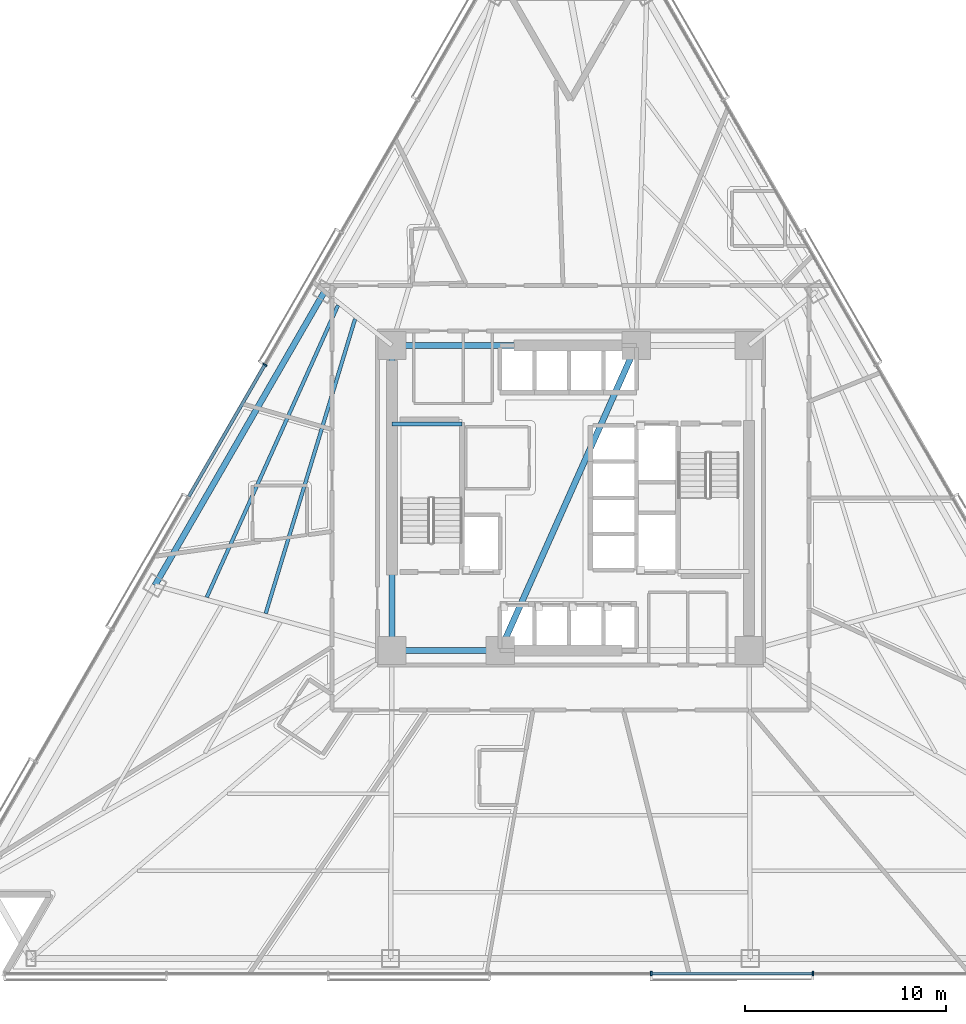
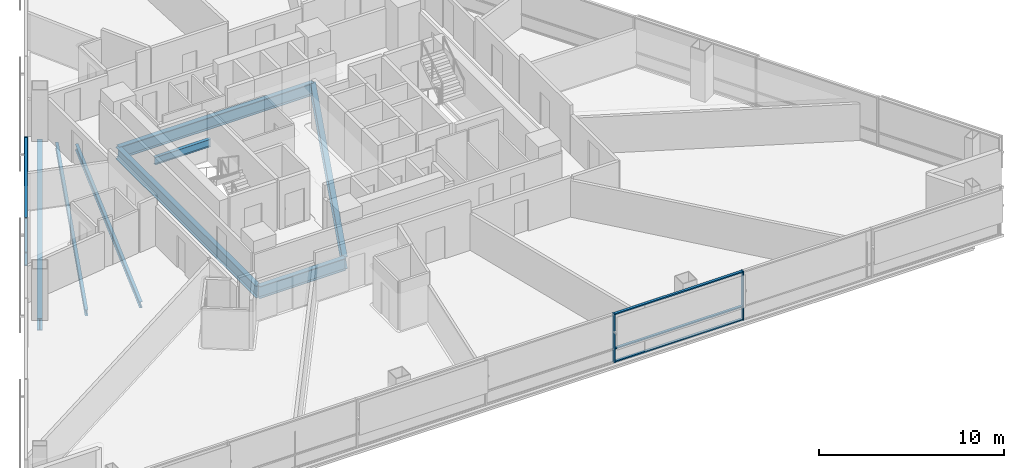
# One storey, part 3 of 16: 9 members, 8 beams, 2 elements without a shape of their own.
"""IFC4 building model written with IfcOpenShell, lengths in metres."""

from ifc_helpers import new_model, si_unit, direction, frame, origin, origin_2d, place, context, subcontext, project, spatial, rectangle, i_section, extrude, material, layer, layer_set, material_profile, profile_set, type_object, element, aggregate, save


model = new_model("IFC4")

# Units and contexts
model_context = context("Model", 3, precision=1e-05, world=origin(), true_north=direction((0.0, 1.0)))
body_context = subcontext(model_context, "Body", "Model", "MODEL_VIEW")
ifc_project = project(units=[si_unit("LENGTHUNIT", "METRE"), si_unit("AREAUNIT", "SQUARE_METRE"), si_unit("VOLUMEUNIT", "CUBIC_METRE"), si_unit("PLANEANGLEUNIT", "RADIAN"), si_unit("MASSUNIT", "GRAM", prefix="KILO")], contexts=[model_context])

# Site, building, storey
site_placement = place(None, origin())
site = spatial("IfcSite", under=ifc_project, at=site_placement, CompositionType="ELEMENT")
building_placement = place(site_placement, origin())
building = spatial("IfcBuilding", under=site, at=building_placement, Name="Tharavind Bronze Gate", CompositionType="ELEMENT")
storey_placement = place(building_placement, frame((0.0, 0.0, 42.050048828125)))
storey = spatial("IfcBuildingStorey", under=building, at=storey_placement, Name="L09", CompositionType="ELEMENT", Elevation=42.050048828125)

# Curtain wall, member
ifc_material_1 = material(Name="Anodised Bronze Aluminium", Category="aluminium")
ifc_layer = layer(ifc_material_1, 0.219970703125)
ifc_layer_set = layer_set([ifc_layer], Name="Anodised Bronze Aluminium")
curtain_wall_type = type_object("IfcCurtainWallType", Name="UNITISED CURTAIN WALL HOTEL", PredefinedType="USERDEFINED", material=ifc_layer_set)
curtain_wall_1_placement = place(storey_placement, origin())
curtain_wall_1 = element("IfcCurtainWall", 1, at=curtain_wall_1_placement, inside=storey, type_object=curtain_wall_type, Name="L09 unitised curtain wall hotel CW-L09-S1", ObjectType="UNITISED CURTAIN WALL", PredefinedType="USERDEFINED")
member_type_1 = type_object("IfcMemberType", Name="CURTAIN WALL MULLION 80X220", PredefinedType="MULLION", material=ifc_material_1)
member_1_placement = place(storey_placement, frame((-15.223876953125, 6.63134765625, 0.0), z_axis=(0.0, 0.0, 1.0), x_axis=(-0.500001511499, -0.866024531118, 0.0)))
member_1 = element("IfcMember", 2, at=member_1_placement, type_object=member_type_1, Name="CW-L09-S1 mullion 4", PredefinedType="MULLION", context=body_context, shape_type="SweptSolid", body=[
    extrude(rectangle(XDim=0.080078125, YDim=0.219970703125, at=origin_2d()), origin(), (0.0, 0.0, 1.0), 3.22509765625),
])

# Curtain wall, members
curtain_wall_2_placement = place(storey_placement, origin())
curtain_wall_2 = element("IfcCurtainWall", 3, at=curtain_wall_2_placement, inside=storey, type_object=curtain_wall_type, Name="L09 unitised curtain wall hotel CW-L09-S2", ObjectType="UNITISED CURTAIN WALL", PredefinedType="USERDEFINED")
member_2_placement = place(storey_placement, frame((4.025146484375, -23.699951171875, 0.0), z_axis=(0.0, 0.0, 1.0), x_axis=(1.0, 0.0, 0.0)))
member_2 = element("IfcMember", 4, at=member_2_placement, type_object=member_type_1, Name="CW-L09-S2 mullion 5", PredefinedType="MULLION", context=body_context, shape_type="SweptSolid", body=[
    extrude(rectangle(XDim=0.080078125, YDim=0.219970703125, at=origin_2d()), origin(), (0.0, 0.0, 1.0), 3.22509765625),
])
member_3_placement = place(storey_placement, frame((12.0751953125, -23.699951171875, 0.0), z_axis=(0.0, 0.0, 1.0), x_axis=(1.0, 0.0, 0.0)))
member_3 = element("IfcMember", 5, at=member_3_placement, type_object=member_type_1, Name="CW-L09-S2 mullion 6", PredefinedType="MULLION", context=body_context, shape_type="SweptSolid", body=[
    extrude(rectangle(XDim=0.080078125, YDim=0.219970703125, at=origin_2d()), origin(), (0.0, 0.0, 1.0), 3.22509765625),
])

# Member
member_type_2 = type_object("IfcMemberType", Name="CURTAIN WALL TRANSOM 80X160", PredefinedType="USERDEFINED", material=ifc_material_1)
member_4_placement = place(storey_placement, frame((-17.1279296875, 3.33349609375, 0.0), z_axis=(0.0, 0.0, 1.0), x_axis=(-0.500001511499, -0.866024531118, 0.0)))
member_4 = element("IfcMember", 6, at=member_4_placement, type_object=member_type_2, Name="CW-L09-S1 transom TB4", ObjectType="TRANSOM", PredefinedType="USERDEFINED", context=body_context, shape_type="SweptSolid", body=[
    extrude(rectangle(XDim=7.5478515625, YDim=0.159912109375, at=origin_2d()), origin(), (0.0, 0.0, 1.0), 0.080078125),
])

member_5_placement = place(storey_placement, frame((-17.1279296875, 3.33349609375, 0.85986328125), z_axis=(0.0, 0.0, 1.0), x_axis=(-0.500001511499, -0.866024531118, 0.0)))
member_5 = element("IfcMember", 7, at=member_5_placement, type_object=member_type_2, Name="CW-L09-S1 transom TS4", ObjectType="TRANSOM", PredefinedType="USERDEFINED", context=body_context, shape_type="SweptSolid", body=[
    extrude(rectangle(XDim=7.5478515625, YDim=0.159912109375, at=origin_2d()), origin(), (0.0, 0.0, 1.0), 0.080078125),
])

member_6_placement = place(storey_placement, frame((-17.1279296875, 3.33349609375, 3.14501953125), z_axis=(0.0, 0.0, 1.0), x_axis=(-0.500001511499, -0.866024531118, 0.0)))
member_6 = element("IfcMember", 8, at=member_6_placement, type_object=member_type_2, Name="CW-L09-S1 transom TT4", ObjectType="TRANSOM", PredefinedType="USERDEFINED", context=body_context, shape_type="SweptSolid", body=[
    extrude(rectangle(XDim=7.5478515625, YDim=0.159912109375, at=origin_2d()), origin(), (0.0, 0.0, 1.0), 0.080078125),
])

aggregate(curtain_wall_1, [member_1, member_4, member_5, member_6])

member_7_placement = place(storey_placement, frame((8.05029296875, -23.699951171875, 0.0), z_axis=(0.0, 0.0, 1.0), x_axis=(1.0, 0.0, 0.0)))
member_7 = element("IfcMember", 9, at=member_7_placement, type_object=member_type_2, Name="CW-L09-S2 transom TB5", ObjectType="TRANSOM", PredefinedType="USERDEFINED", context=body_context, shape_type="SweptSolid", body=[
    extrude(rectangle(XDim=7.982177734375, YDim=0.159912109375, at=origin_2d()), origin(), (0.0, 0.0, 1.0), 0.080078125),
])

member_8_placement = place(storey_placement, frame((8.05029296875, -23.699951171875, 0.85986328125), z_axis=(0.0, 0.0, 1.0), x_axis=(1.0, 0.0, 0.0)))
member_8 = element("IfcMember", 10, at=member_8_placement, type_object=member_type_2, Name="CW-L09-S2 transom TS5", ObjectType="TRANSOM", PredefinedType="USERDEFINED", context=body_context, shape_type="SweptSolid", body=[
    extrude(rectangle(XDim=7.982177734375, YDim=0.159912109375, at=origin_2d()), origin(), (0.0, 0.0, 1.0), 0.080078125),
])

member_9_placement = place(storey_placement, frame((8.05029296875, -23.699951171875, 3.14501953125), z_axis=(0.0, 0.0, 1.0), x_axis=(1.0, 0.0, 0.0)))
member_9 = element("IfcMember", 11, at=member_9_placement, type_object=member_type_2, Name="CW-L09-S2 transom TT5", ObjectType="TRANSOM", PredefinedType="USERDEFINED", context=body_context, shape_type="SweptSolid", body=[
    extrude(rectangle(XDim=7.982177734375, YDim=0.159912109375, at=origin_2d()), origin(), (0.0, 0.0, 1.0), 0.080078125),
])

aggregate(curtain_wall_2, [member_2, member_3, member_7, member_8, member_9])

# Beams
ifc_material_2 = material(Name="Steel S355", Category="steel")
ifc_material_profile_1 = material_profile(ifc_material_2, i_section(OverallWidth=0.199951171875, OverallDepth=0.5, WebThickness=0.01025390625, FlangeThickness=0.01611328125, at=origin_2d()), Name="IPE500")
ifc_profile_set_1 = profile_set([ifc_material_profile_1], Name="Steel S355")
beam_type_1 = type_object("IfcBeamType", Name="PRIMARY GIRDER IPE500", PredefinedType="USERDEFINED", material=ifc_profile_set_1)
beam_1_placement = place(storey_placement, frame((-8.89990234375, 3.679931640625, 1.25), z_axis=(1.0, 0.0, 0.0), x_axis=(0.0, 1.0, 0.0)))
element("IfcBeam", 12, at=beam_1_placement, inside=storey, type_object=beam_type_1, Name="L09 primary girder ipe500 BM-LD-ST1-L09-1", ObjectType="GIRDER", PredefinedType="USERDEFINED", context=body_context, shape_type="SweptSolid", body=[
    extrude(i_section(OverallWidth=0.199951171875, OverallDepth=0.5, WebThickness=0.01025390625, FlangeThickness=0.01611328125, at=origin_2d()), origin(), (0.0, 0.0, 1.0), 3.5),
])
ifc_material_profile_2 = material_profile(ifc_material_2, i_section(OverallWidth=0.300048828125, OverallDepth=0.800048828125, WebThickness=0.017578125, FlangeThickness=0.032958984375, at=origin_2d()), Name="HE800B")
ifc_profile_set_2 = profile_set([ifc_material_profile_2], Name="Steel S355")
beam_type_2 = type_object("IfcBeamType", Name="RING GIRDER HE800B", PredefinedType="USERDEFINED", material=ifc_profile_set_2)
beam_2_placement = place(storey_placement, frame((-8.89990234375, -7.60009765625, -0.574951171875), z_axis=(1.0, 0.0, 0.0), x_axis=(0.0, 1.0, 0.0)))
element("IfcBeam", 13, at=beam_2_placement, inside=storey, type_object=beam_type_2, Name="L09 ring girder he800b BM-L09-CR1", ObjectType="GIRDER", PredefinedType="USERDEFINED", context=body_context, shape_type="SweptSolid", body=[
    extrude(i_section(OverallWidth=0.300048828125, OverallDepth=0.800048828125, WebThickness=0.017578125, FlangeThickness=0.032958984375, at=origin_2d()), origin(), (0.0, 0.0, 1.0), 5.39990234375),
])
beam_3_placement = place(storey_placement, frame((3.280029296875, 7.60009765625, -0.574951171875), z_axis=(-1.0, 0.0, 0.0), x_axis=(0.0, -1.0, 0.0)))
element("IfcBeam", 14, at=beam_3_placement, inside=storey, type_object=beam_type_2, Name="L09 ring girder he800b BM-L09-CR5", ObjectType="GIRDER", PredefinedType="USERDEFINED", context=body_context, shape_type="SweptSolid", body=[
    extrude(i_section(OverallWidth=0.300048828125, OverallDepth=0.800048828125, WebThickness=0.017578125, FlangeThickness=0.032958984375, at=origin_2d()), origin(), (0.0, 0.0, 1.0), 12.179931640625),
])
beam_4_placement = place(storey_placement, frame((-8.89990234375, 7.60009765625, -0.574951171875), z_axis=(0.0, -1.0, 0.0), x_axis=(1.0, 0.0, 0.0)))
element("IfcBeam", 15, at=beam_4_placement, inside=storey, type_object=beam_type_2, Name="L09 ring girder he800b BM-L09-CR6", ObjectType="GIRDER", PredefinedType="USERDEFINED", context=body_context, shape_type="SweptSolid", body=[
    extrude(i_section(OverallWidth=0.300048828125, OverallDepth=0.800048828125, WebThickness=0.017578125, FlangeThickness=0.032958984375, at=origin_2d()), origin(), (0.0, 0.0, 1.0), 15.2001953125),
])
beam_5_placement = place(storey_placement, frame((-3.5, -7.60009765625, -0.574951171875), z_axis=(0.407361644566, 0.913266932795, 0.0), x_axis=(-0.913266932795, 0.407361644566, 0.0)))
element("IfcBeam", 16, at=beam_5_placement, inside=storey, type_object=beam_type_2, Name="L09 ring girder he800b BM-L09-CR7", ObjectType="GIRDER", PredefinedType="USERDEFINED", context=body_context, shape_type="SweptSolid", body=[
    extrude(i_section(OverallWidth=0.300048828125, OverallDepth=0.800048828125, WebThickness=0.017578125, FlangeThickness=0.032958984375, at=origin_2d()), origin(), (0.0, 0.0, 1.0), 16.643798828125),
])
beam_6_placement = place(storey_placement, frame((-12.252197265625, 10.278564453125, -0.574951171875), z_axis=(-0.50000832373, -0.866020598023, 0.0), x_axis=(0.866020598023, -0.50000832373, 0.0)))
element("IfcBeam", 17, at=beam_6_placement, inside=storey, type_object=beam_type_2, Name="L09 ring girder he800b BM-L09-PRG02", ObjectType="GIRDER", PredefinedType="USERDEFINED", context=body_context, shape_type="SweptSolid", body=[
    extrude(i_section(OverallWidth=0.300048828125, OverallDepth=0.800048828125, WebThickness=0.017578125, FlangeThickness=0.032958984375, at=origin_2d()), origin(), (0.0, 0.0, 1.0), 16.904541015625),
])
ifc_material_profile_3 = material_profile(ifc_material_2, i_section(OverallWidth=0.179931640625, OverallDepth=0.39990234375, WebThickness=0.008544921875, FlangeThickness=0.013427734375, at=origin_2d()), Name="IPE400")
ifc_profile_set_3 = profile_set([ifc_material_profile_3], Name="Steel S355")
beam_type_3 = type_object("IfcBeamType", Name="SECONDARY FLOOR JOIST IPE400", PredefinedType="JOIST", material=ifc_profile_set_3)
beam_7_placement = place(storey_placement, frame((-10.72900390625, 8.915771484375, -0.375), z_axis=(-0.290410798392, -0.956902068227, 0.0), x_axis=(0.956902068227, -0.290410798392, 0.0)))
element("IfcBeam", 18, at=beam_7_placement, inside=storey, type_object=beam_type_3, Name="L09 secondary floor joist ipe400 BM-L09-JSTA02", PredefinedType="JOIST", context=body_context, shape_type="SweptSolid", body=[
    extrude(i_section(OverallWidth=0.179931640625, OverallDepth=0.39990234375, WebThickness=0.008544921875, FlangeThickness=0.013427734375, at=origin_2d()), origin(), (0.0, 0.0, 1.0), 15.334716796875),
])
beam_8_placement = place(storey_placement, frame((-11.579833984375, 9.595458984375, -0.375), z_axis=(-0.40998786392, -0.91209097761, 0.0), x_axis=(0.91209097761, -0.40998786392, 0.0)))
element("IfcBeam", 19, at=beam_8_placement, inside=storey, type_object=beam_type_3, Name="L09 secondary floor joist ipe400 BM-L09-JSTB02", PredefinedType="JOIST", context=body_context, shape_type="SweptSolid", body=[
    extrude(i_section(OverallWidth=0.179931640625, OverallDepth=0.39990234375, WebThickness=0.008544921875, FlangeThickness=0.013427734375, at=origin_2d()), origin(), (0.0, 0.0, 1.0), 15.949951171875),
])

save(model, "model.ifc")
